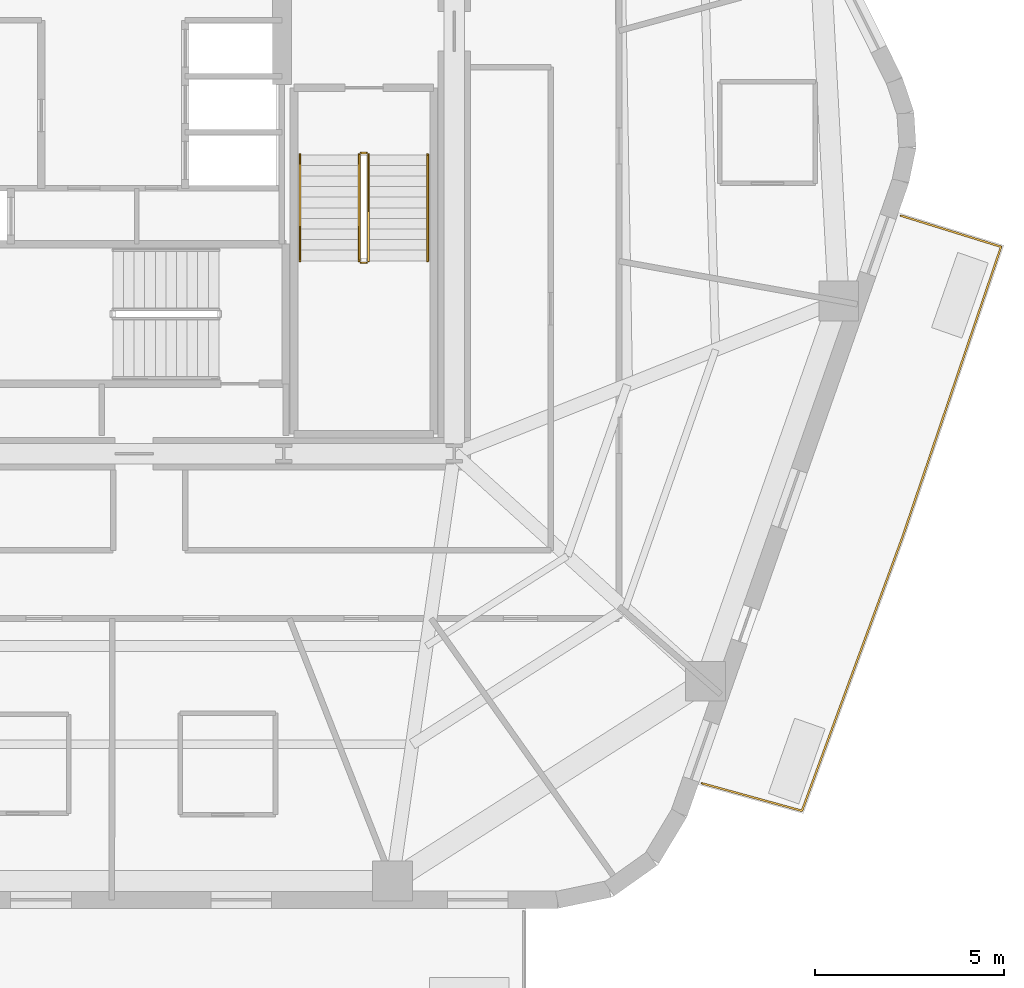
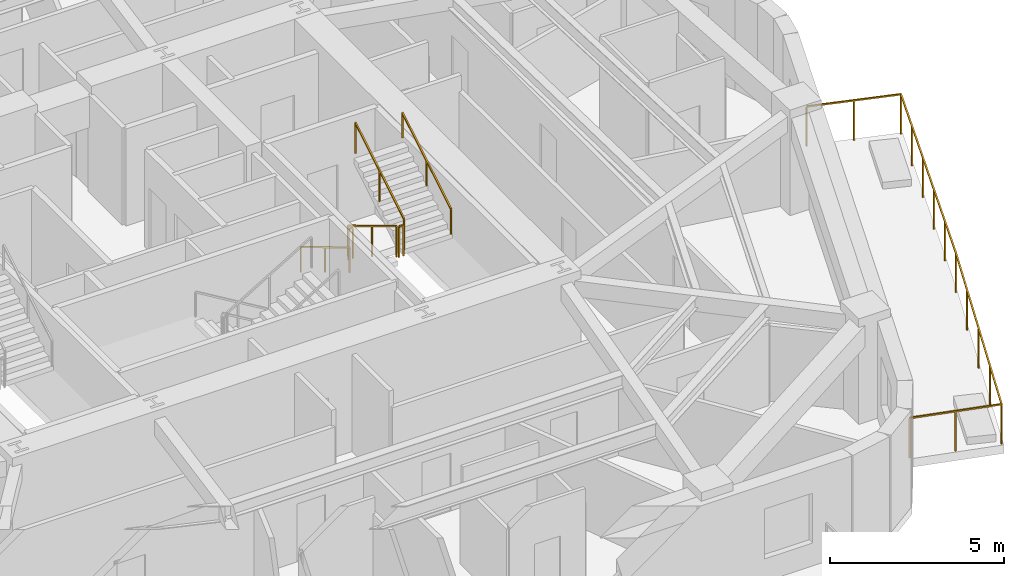
# One storey, part 10 of 11: 7 railings.
"""IFC4 building model written with IfcOpenShell, lengths in metres."""

from ifc_helpers import new_model, si_unit, direction, frame, origin, origin_2d, place, context, subcontext, project, spatial, rectangle, extrude, material, layer, layer_set, type_object, element, save


model = new_model("IFC4")

# Units and contexts
model_context = context("Model", 3, precision=1e-05, world=origin(), true_north=direction((0.0, 1.0)))
body_context = subcontext(model_context, "Body", "Model", "MODEL_VIEW")
ifc_project = project(units=[si_unit("LENGTHUNIT", "METRE"), si_unit("AREAUNIT", "SQUARE_METRE"), si_unit("VOLUMEUNIT", "CUBIC_METRE"), si_unit("PLANEANGLEUNIT", "RADIAN"), si_unit("MASSUNIT", "GRAM", prefix="KILO")], contexts=[model_context])

# Site, building, storey
site_placement = place(None, origin())
site = spatial("IfcSite", under=ifc_project, at=site_placement, CompositionType="ELEMENT")
building_placement = place(site_placement, origin())
building = spatial("IfcBuilding", under=site, at=building_placement, Name="Kilnhurst Terrace Hotel", CompositionType="ELEMENT")
storey_placement = place(building_placement, frame((0.0, 0.0, 159.10009765625)))
storey = spatial("IfcBuildingStorey", under=building, at=storey_placement, Name="L39", CompositionType="ELEMENT", Elevation=159.10009765625)

# Railings
ifc_material_1 = material(Name="Laminated SentryGlas and Stainless Steel AISI 316L Balustrade", Category="steel")
ifc_layer_1 = layer(ifc_material_1, 0.070068359375, Name="Laminated SentryGlas and Stainless Steel AISI 316L Balustrade")
ifc_layer_set_1 = layer_set([ifc_layer_1], Name="Laminated SentryGlas and Stainless Steel AISI 316L Balustrade")
railing_type_1 = type_object("IfcRailingType", Name="RLG-BAL-1420", PredefinedType="BALUSTRADE", material=ifc_layer_set_1)
railing_1_placement = place(storey_placement, frame((20.783935546875, -1.215087890625, 0.0)))
element("IfcRailing", 1, at=railing_1_placement, inside=storey, type_object=railing_type_1, Name="L39 Exterior Terrace Guardrail BAL-L1B.1", PredefinedType="BALUSTRADE", context=body_context, shape_type="SweptSolid", body=[
    extrude(rectangle(XDim=0.048095703125, YDim=0.048095703125, at=origin_2d()), frame((0.0, 0.0, 1.39599609375), z_axis=(0.954948187333, -0.29677257203, 0.0), x_axis=(0.29677257203, 0.954948187333, 0.0)), (0.0, 0.0, 1.0), 2.7763671875),
    extrude(rectangle(XDim=0.048095703125, YDim=0.048095703125, at=origin_2d()), frame((2.6513671875, -0.823974609375, 1.39599609375), z_axis=(-0.321641701575, -0.946861455445, 0.0), x_axis=(0.946861455445, -0.321641701575, 0.0)), (0.0, 0.0, 1.0), 8.082275390625),
    extrude(rectangle(XDim=0.048095703125, YDim=0.048095703125, at=origin_2d()), frame((0.0517578125, -8.476806640625, 1.39599609375), z_axis=(-0.344704120874, -0.938711387516, 0.0), x_axis=(0.938711387516, -0.344704120874, 0.0)), (0.0, 0.0, 1.0), 7.7080078125),
    extrude(rectangle(XDim=0.048095703125, YDim=0.048095703125, at=origin_2d()), frame((-2.605224609375, -15.71240234375, 1.39599609375), z_axis=(-0.964239560757, 0.265032204593, 0.0), x_axis=(-0.265032204593, -0.964239560757, 0.0)), (0.0, 0.0, 1.0), 2.739501953125),
    extrude(rectangle(XDim=0.0419921875, YDim=0.0419921875, at=origin_2d()), origin(), (0.0, 0.0, 1.0), 1.371826171875),
    extrude(rectangle(XDim=0.0419921875, YDim=0.0419921875, at=origin_2d()), frame((1.32568359375, -0.412109375, 0.0)), (0.0, 0.0, 1.0), 1.371826171875),
    extrude(rectangle(XDim=0.0419921875, YDim=0.0419921875, at=origin_2d()), frame((2.6513671875, -0.823974609375, 0.0)), (0.0, 0.0, 1.0), 1.371826171875),
    extrude(rectangle(XDim=0.0419921875, YDim=0.0419921875, at=origin_2d()), frame((2.13134765625, -2.3544921875, 0.0)), (0.0, 0.0, 1.0), 1.371826171875),
    extrude(rectangle(XDim=0.0419921875, YDim=0.0419921875, at=origin_2d()), frame((1.611572265625, -3.885009765625, 0.0)), (0.0, 0.0, 1.0), 1.371826171875),
    extrude(rectangle(XDim=0.0419921875, YDim=0.0419921875, at=origin_2d()), frame((1.091552734375, -5.415771484375, 0.0)), (0.0, 0.0, 1.0), 1.371826171875),
    extrude(rectangle(XDim=0.0419921875, YDim=0.0419921875, at=origin_2d()), frame((0.57177734375, -6.9462890625, 0.0)), (0.0, 0.0, 1.0), 1.371826171875),
    extrude(rectangle(XDim=0.0419921875, YDim=0.0419921875, at=origin_2d()), frame((0.0517578125, -8.476806640625, 0.0)), (0.0, 0.0, 1.0), 1.371826171875),
    extrude(rectangle(XDim=0.0419921875, YDim=0.0419921875, at=origin_2d()), frame((-0.612548828125, -10.28564453125, 0.0)), (0.0, 0.0, 1.0), 1.371826171875),
    extrude(rectangle(XDim=0.0419921875, YDim=0.0419921875, at=origin_2d()), frame((-1.27685546875, -12.0947265625, 0.0)), (0.0, 0.0, 1.0), 1.371826171875),
    extrude(rectangle(XDim=0.0419921875, YDim=0.0419921875, at=origin_2d()), frame((-1.94091796875, -13.903564453125, 0.0)), (0.0, 0.0, 1.0), 1.371826171875),
    extrude(rectangle(XDim=0.0419921875, YDim=0.0419921875, at=origin_2d()), frame((-2.605224609375, -15.71240234375, 0.0)), (0.0, 0.0, 1.0), 1.371826171875),
    extrude(rectangle(XDim=0.0419921875, YDim=0.0419921875, at=origin_2d()), frame((-3.926025390625, -15.349365234375, 0.0)), (0.0, 0.0, 1.0), 1.371826171875),
    extrude(rectangle(XDim=0.0419921875, YDim=0.0419921875, at=origin_2d()), frame((-5.246826171875, -14.986328125, 0.0)), (0.0, 0.0, 1.0), 1.371826171875),
])
ifc_material_2 = material(Name="Powder-Coated Steel ASTM A500 Grade B", Category="steel")
ifc_layer_2 = layer(ifc_material_2, 0.050048828125, Name="Powder-Coated Steel ASTM A500 Grade B")
ifc_layer_set_2 = layer_set([ifc_layer_2], Name="Powder-Coated Steel ASTM A500 Grade B")
railing_type_2 = type_object("IfcRailingType", Name="RLG-ST-GRD-1100", PredefinedType="GUARDRAIL", material=ifc_layer_set_2)
railing_2_placement = place(storey_placement, frame((6.489990234375, 0.389892578125, 0.16796875)))
element("IfcRailing", 2, at=railing_2_placement, inside=storey, type_object=railing_type_2, Name="L39 ST-2 stair guard 1", PredefinedType="GUARDRAIL", context=body_context, shape_type="SweptSolid", body=[
    extrude(rectangle(XDim=0.048095703125, YDim=0.048095703125, at=origin_2d()), frame((0.0, 0.0, 1.076171875), z_axis=(0.0, -0.857222391501, 0.514946377315), x_axis=(1.0, 0.0, 0.0)), (0.0, 0.0, 1.0), 3.26611328125),
    extrude(rectangle(XDim=0.0419921875, YDim=0.0419921875, at=origin_2d()), origin(), (0.0, 0.0, 1.0), 1.052001953125),
    extrude(rectangle(XDim=0.0419921875, YDim=0.0419921875, at=origin_2d()), frame((0.0, -1.39990234375, 0.8408203125)), (0.0, 0.0, 1.0), 1.052001953125),
    extrude(rectangle(XDim=0.0419921875, YDim=0.0419921875, at=origin_2d()), frame((0.0, -2.7998046875, 1.681884765625)), (0.0, 0.0, 1.0), 1.052001953125),
])
railing_3_placement = place(storey_placement, frame((6.5400390625, -2.4599609375, 1.849853515625)))
element("IfcRailing", 3, at=railing_3_placement, inside=storey, type_object=railing_type_2, Name="L39 ST-2 stair guard 2", PredefinedType="GUARDRAIL", context=body_context, shape_type="SweptSolid", body=[
    extrude(rectangle(XDim=0.048095703125, YDim=0.048095703125, at=origin_2d()), frame((0.0, 0.0, 1.076171875), z_axis=(1.0, 0.0, 0.0), x_axis=(0.0, 1.0, 0.0)), (0.0, 0.0, 1.0), 0.14990234375),
    extrude(rectangle(XDim=0.0419921875, YDim=0.0419921875, at=origin_2d()), origin(), (0.0, 0.0, 1.0), 1.052001953125),
    extrude(rectangle(XDim=0.0419921875, YDim=0.0419921875, at=origin_2d()), frame((0.14990234375, 0.0, 0.0)), (0.0, 0.0, 1.0), 1.052001953125),
])
railing_4_placement = place(storey_placement, frame((6.739990234375, -2.409912109375, 2.01806640625)))
element("IfcRailing", 4, at=railing_4_placement, inside=storey, type_object=railing_type_2, Name="L39 ST-2 stair guard 3", PredefinedType="GUARDRAIL", context=body_context, shape_type="SweptSolid", body=[
    extrude(rectangle(XDim=0.048095703125, YDim=0.048095703125, at=origin_2d()), frame((0.0, 0.0, 1.076171875), z_axis=(0.0, 0.857222391501, 0.514946377315), x_axis=(-1.0, 0.0, 0.0)), (0.0, 0.0, 1.0), 3.26611328125),
    extrude(rectangle(XDim=0.0419921875, YDim=0.0419921875, at=origin_2d()), origin(), (0.0, 0.0, 1.0), 1.052001953125),
    extrude(rectangle(XDim=0.0419921875, YDim=0.0419921875, at=origin_2d()), frame((0.0, 1.39990234375, 0.8408203125)), (0.0, 0.0, 1.0), 1.052001953125),
    extrude(rectangle(XDim=0.0419921875, YDim=0.0419921875, at=origin_2d()), frame((0.0, 2.7998046875, 1.681884765625)), (0.0, 0.0, 1.0), 1.052001953125),
])
railing_5_placement = place(storey_placement, frame((6.5400390625, 0.43994140625, 0.0)))
element("IfcRailing", 5, at=railing_5_placement, inside=storey, type_object=railing_type_2, Name="L39 ST-2 stair guard 4", PredefinedType="GUARDRAIL", context=body_context, shape_type="SweptSolid", body=[
    extrude(rectangle(XDim=0.048095703125, YDim=0.048095703125, at=origin_2d()), frame((0.0, 0.0, 1.076171875), z_axis=(1.0, 0.0, 0.0), x_axis=(0.0, 1.0, 0.0)), (0.0, 0.0, 1.0), 0.14990234375),
    extrude(rectangle(XDim=0.0419921875, YDim=0.0419921875, at=origin_2d()), origin(), (0.0, 0.0, 1.0), 1.052001953125),
    extrude(rectangle(XDim=0.0419921875, YDim=0.0419921875, at=origin_2d()), frame((0.14990234375, 0.0, 0.0)), (0.0, 0.0, 1.0), 1.052001953125),
])
ifc_material_3 = material(Name="Brushed Stainless Steel AISI 304", Category="steel")
ifc_layer_3 = layer(ifc_material_3, 0.048095703125, Name="Brushed Stainless Steel AISI 304")
ifc_layer_set_3 = layer_set([ifc_layer_3], Name="Brushed Stainless Steel AISI 304")
railing_type_3 = type_object("IfcRailingType", Name="RLG-ST-HRL-900", PredefinedType="HANDRAIL", material=ifc_layer_set_3)
railing_6_placement = place(storey_placement, frame((4.929931640625, 0.389892578125, 0.16796875)))
element("IfcRailing", 6, at=railing_6_placement, inside=storey, type_object=railing_type_3, Name="L39 ST-2 stair handrail 1", PredefinedType="HANDRAIL", context=body_context, shape_type="SweptSolid", body=[
    extrude(rectangle(XDim=0.048095703125, YDim=0.048095703125, at=origin_2d()), frame((0.0, 0.0, 0.8759765625), z_axis=(0.0, -0.857222391501, 0.514946377315), x_axis=(1.0, 0.0, 0.0)), (0.0, 0.0, 1.0), 3.26611328125),
    extrude(rectangle(XDim=0.0419921875, YDim=0.0419921875, at=origin_2d()), origin(), (0.0, 0.0, 1.0), 0.851806640625),
    extrude(rectangle(XDim=0.0419921875, YDim=0.0419921875, at=origin_2d()), frame((0.0, -1.39990234375, 0.8408203125)), (0.0, 0.0, 1.0), 0.851806640625),
    extrude(rectangle(XDim=0.0419921875, YDim=0.0419921875, at=origin_2d()), frame((0.0, -2.7998046875, 1.681884765625)), (0.0, 0.0, 1.0), 0.851806640625),
])
railing_7_placement = place(storey_placement, frame((8.300048828125, -2.409912109375, 2.01806640625)))
element("IfcRailing", 7, at=railing_7_placement, inside=storey, type_object=railing_type_3, Name="L39 ST-2 stair handrail 2", PredefinedType="HANDRAIL", context=body_context, shape_type="SweptSolid", body=[
    extrude(rectangle(XDim=0.048095703125, YDim=0.048095703125, at=origin_2d()), frame((0.0, 0.0, 0.8759765625), z_axis=(0.0, 0.857222391501, 0.514946377315), x_axis=(-1.0, 0.0, 0.0)), (0.0, 0.0, 1.0), 3.26611328125),
    extrude(rectangle(XDim=0.0419921875, YDim=0.0419921875, at=origin_2d()), origin(), (0.0, 0.0, 1.0), 0.851806640625),
    extrude(rectangle(XDim=0.0419921875, YDim=0.0419921875, at=origin_2d()), frame((0.0, 1.39990234375, 0.8408203125)), (0.0, 0.0, 1.0), 0.851806640625),
    extrude(rectangle(XDim=0.0419921875, YDim=0.0419921875, at=origin_2d()), frame((0.0, 2.7998046875, 1.681884765625)), (0.0, 0.0, 1.0), 0.851806640625),
])

save(model, "model.ifc")
